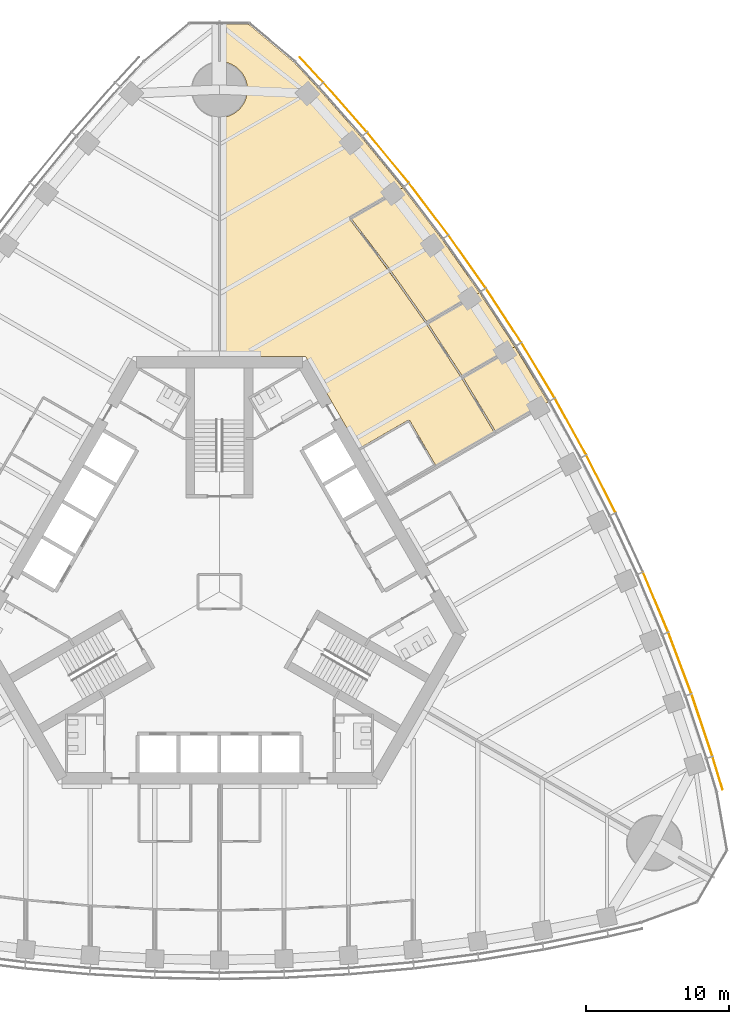
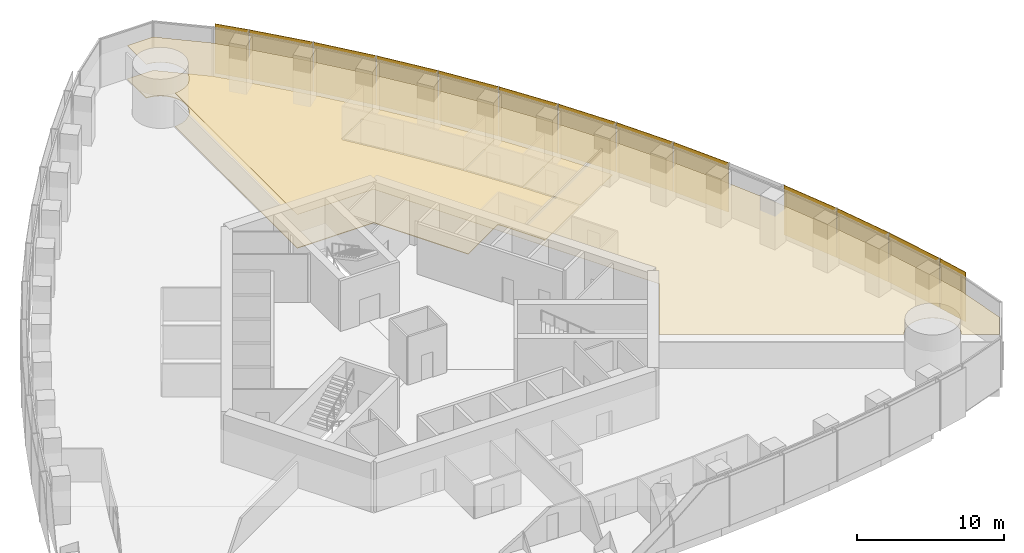
# One storey, part 17 of 19: 13 shading devices, 5 coverings.
"""IFC4 building model written with IfcOpenShell, lengths in metres."""

from ifc_helpers import new_model, si_unit, direction, frame, origin, origin_2d, place, context, subcontext, project, spatial, polyline, rectangle, outline, extrude, material, layer, layer_set, type_object, element, save


model = new_model("IFC4")

# Units and contexts
model_context = context("Model", 3, precision=1e-05, world=origin(), true_north=direction((0.0, 1.0)))
body_context = subcontext(model_context, "Body", "Model", "MODEL_VIEW")
ifc_project = project(units=[si_unit("LENGTHUNIT", "METRE"), si_unit("AREAUNIT", "SQUARE_METRE"), si_unit("VOLUMEUNIT", "CUBIC_METRE"), si_unit("PLANEANGLEUNIT", "RADIAN"), si_unit("MASSUNIT", "GRAM", prefix="KILO")], contexts=[model_context])

# Site, building, storey
site_placement = place(None, origin())
site = spatial("IfcSite", under=ifc_project, at=site_placement, CompositionType="ELEMENT")
building_placement = place(site_placement, origin())
building = spatial("IfcBuilding", under=site, at=building_placement, Name="Trefoil Bronze Tower", CompositionType="ELEMENT")
storey_placement = place(building_placement, frame((0.0, 0.0, 140.89990234375)))
storey = spatial("IfcBuildingStorey", under=building, at=storey_placement, Name="L32", CompositionType="ELEMENT", Elevation=140.89990234375)

# Shading devices
ifc_material_1 = material(Name="Perforated bronze sheet", Category="bronze")
ifc_layer_1 = layer(ifc_material_1, 0.0400390625)
ifc_layer_set_1 = layer_set([ifc_layer_1], Name="Bronze solar screen panel")
shading_device_type = type_object("IfcShadingDeviceType", Name="Bronze solar screen panel", PredefinedType="SHUTTER", material=ifc_layer_set_1)
shading_device_1_placement = place(storey_placement, frame((34.717529296875, -12.634765625, 0.050048828125), z_axis=(0.0, 0.0, 1.0), x_axis=(-0.291668676391, 0.956519410787, 0.0)))
element("IfcShadingDevice", 1, at=shading_device_1_placement, inside=storey, type_object=shading_device_type, Name="Solar screen CW-A L32 F2 bay 1", PredefinedType="SHUTTER", context=body_context, shape_type="SweptSolid", body=[
    extrude(rectangle(XDim=2.39013671875, YDim=0.0400390625, at=origin_2d()), origin(), (0.0, 0.0, 1.0), 4.10009765625),
])
shading_device_2_placement = place(storey_placement, frame((33.62890625, -9.286865234375, 0.050048828125), z_axis=(0.0, 0.0, 1.0), x_axis=(-0.318403749569, 0.947955195281, 0.0)))
element("IfcShadingDevice", 2, at=shading_device_2_placement, inside=storey, type_object=shading_device_type, Name="Solar screen CW-A L32 F2 bay 2", PredefinedType="SHUTTER", context=body_context, shape_type="SweptSolid", body=[
    extrude(rectangle(XDim=4.56103515625, YDim=0.0400390625, at=origin_2d()), origin(), (0.0, 0.0, 1.0), 4.10009765625),
])
shading_device_3_placement = place(storey_placement, frame((32.086669921875, -4.95849609375, 0.050048828125), z_axis=(0.0, 0.0, 1.0), x_axis=(-0.352919739707, 0.935653599002, 0.0)))
element("IfcShadingDevice", 3, at=shading_device_3_placement, inside=storey, type_object=shading_device_type, Name="Solar screen CW-A L32 F2 bay 3", PredefinedType="SHUTTER", context=body_context, shape_type="SweptSolid", body=[
    extrude(rectangle(XDim=4.5302734375, YDim=0.0400390625, at=origin_2d()), origin(), (0.0, 0.0, 1.0), 4.10009765625),
])
shading_device_4_placement = place(storey_placement, frame((30.3974609375, -0.715087890625, 0.050048828125), z_axis=(0.0, 0.0, 1.0), x_axis=(-0.386759234303, 0.922180727776, 0.0)))
element("IfcShadingDevice", 4, at=shading_device_4_placement, inside=storey, type_object=shading_device_type, Name="Solar screen CW-A L32 F2 bay 4", PredefinedType="SHUTTER", context=body_context, shape_type="SweptSolid", body=[
    extrude(rectangle(XDim=4.50634765625, YDim=0.0400390625, at=origin_2d()), origin(), (0.0, 0.0, 1.0), 4.10009765625),
])
shading_device_5_placement = place(storey_placement, frame((26.5869140625, 7.52197265625, 0.050048828125), z_axis=(0.0, 0.0, 1.0), x_axis=(-0.452448919686, 0.891790320128, 0.0)))
element("IfcShadingDevice", 5, at=shading_device_5_placement, inside=storey, type_object=shading_device_type, Name="Solar screen CW-A L32 F2 bay 6", PredefinedType="SHUTTER", context=body_context, shape_type="SweptSolid", body=[
    extrude(rectangle(XDim=4.4765625, YDim=0.0400390625, at=origin_2d()), origin(), (0.0, 0.0, 1.0), 4.10009765625),
])
for number, where, z_axis, x_axis, name in (
    (6, (24.468505859375, 11.517578125, 0.050048828125), (0.0, 0.0, 1.0), (-0.484312195836, 0.874895249138, 0.0), "Solar screen CW-A L32 F2 bay 7"),
    (7, (22.208740234375, 15.431396484375, 0.050048828125), (0.0, 0.0, 1.0), (-0.515525413486, 0.856874289526, 0.0), "Solar screen CW-A L32 F2 bay 8"),
):
    element("IfcShadingDevice", number, at=place(storey_placement, frame(where, z_axis=z_axis, x_axis=x_axis)), inside=storey, type_object=shading_device_type, Name=name, PredefinedType="SHUTTER", context=body_context, shape_type="SweptSolid", body=[
        extrude(rectangle(XDim=4.470703125, YDim=0.0400390625, at=origin_2d()), origin(), (0.0, 0.0, 1.0), 4.10009765625),
    ])
shading_device_6_placement = place(storey_placement, frame((19.8076171875, 19.263916015625, 0.050048828125), z_axis=(0.0, 0.0, 1.0), x_axis=(-0.546088612237, 0.837727418427, 0.0)))
element("IfcShadingDevice", 8, at=shading_device_6_placement, inside=storey, type_object=shading_device_type, Name="Solar screen CW-A L32 F2 bay 9", PredefinedType="SHUTTER", context=body_context, shape_type="SweptSolid", body=[
    extrude(rectangle(XDim=4.4765625, YDim=0.0400390625, at=origin_2d()), origin(), (0.0, 0.0, 1.0), 4.10009765625),
])
shading_device_7_placement = place(storey_placement, frame((17.264892578125, 23.014404296875, 0.050048828125), z_axis=(0.0, 0.0, 1.0), x_axis=(-0.575999283275, 0.817450197667, 0.0)))
element("IfcShadingDevice", 9, at=shading_device_7_placement, inside=storey, type_object=shading_device_type, Name="Solar screen CW-A L32 F2 bay 10", PredefinedType="SHUTTER", context=body_context, shape_type="SweptSolid", body=[
    extrude(rectangle(XDim=4.48828125, YDim=0.0400390625, at=origin_2d()), origin(), (0.0, 0.0, 1.0), 4.10009765625),
])
shading_device_8_placement = place(storey_placement, frame((14.579345703125, 26.6826171875, 0.050048828125), z_axis=(0.0, 0.0, 1.0), x_axis=(-0.605252319983, 0.796033685943, 0.0)))
element("IfcShadingDevice", 10, at=shading_device_8_placement, inside=storey, type_object=shading_device_type, Name="Solar screen CW-A L32 F2 bay 11", PredefinedType="SHUTTER", context=body_context, shape_type="SweptSolid", body=[
    extrude(rectangle(XDim=4.50634765625, YDim=0.0400390625, at=origin_2d()), origin(), (0.0, 0.0, 1.0), 4.10009765625),
])
shading_device_9_placement = place(storey_placement, frame((11.7490234375, 30.26708984375, 0.050048828125), z_axis=(0.0, 0.0, 1.0), x_axis=(-0.633839916024, 0.773464259584, 0.0)))
element("IfcShadingDevice", 11, at=shading_device_9_placement, inside=storey, type_object=shading_device_type, Name="Solar screen CW-A L32 F2 bay 12", PredefinedType="SHUTTER", context=body_context, shape_type="SweptSolid", body=[
    extrude(rectangle(XDim=4.5302734375, YDim=0.0400390625, at=origin_2d()), origin(), (0.0, 0.0, 1.0), 4.10009765625),
])
shading_device_10_placement = place(storey_placement, frame((8.77197265625, 33.766845703125, 0.050048828125), z_axis=(0.0, 0.0, 1.0), x_axis=(-0.661751405978, 0.749723333428, 0.0)))
element("IfcShadingDevice", 12, at=shading_device_10_placement, inside=storey, type_object=shading_device_type, Name="Solar screen CW-A L32 F2 bay 13", PredefinedType="SHUTTER", context=body_context, shape_type="SweptSolid", body=[
    extrude(rectangle(XDim=4.56103515625, YDim=0.0400390625, at=origin_2d()), origin(), (0.0, 0.0, 1.0), 4.10009765625),
])
shading_device_11_placement = place(storey_placement, frame((6.416748046875, 36.383544921875, 0.050048828125), z_axis=(0.0, 0.0, 1.0), x_axis=(-0.682535770759, 0.730852188636, 0.0)))
element("IfcShadingDevice", 13, at=shading_device_11_placement, inside=storey, type_object=shading_device_type, Name="Solar screen CW-A L32 F2 bay 14", PredefinedType="SHUTTER", context=body_context, shape_type="SweptSolid", body=[
    extrude(rectangle(XDim=2.39013671875, YDim=0.0400390625, at=origin_2d()), origin(), (0.0, 0.0, 1.0), 4.10009765625),
])

# Coverings
ifc_material_2 = material(Name="Acoustic ceiling panels", Category="mineral fibre")
ifc_layer_2 = layer(ifc_material_2, 0.02001953125)
ifc_layer_set_2 = layer_set([ifc_layer_2], Name="Office ceiling 20")
covering_type_1 = type_object("IfcCoveringType", Name="Office ceiling 20", PredefinedType="CEILING", material=ifc_layer_set_2)
covering_1_placement = place(storey_placement, frame((0.0, 0.0, 2.900146484375)))
element("IfcCovering", 14, at=covering_1_placement, inside=storey, type_object=covering_type_1, Name="Ceiling L32 Open-plan office F2", PredefinedType="CEILING", context=body_context, shape_type="SweptSolid", body=[
    extrude(outline(polyline([(6.847900390625, 35.130615234375), (9.885986328125, 31.6884765625), (12.776611328125, 28.1611328125), (15.522216796875, 24.55029296875), (18.124755859375, 20.856689453125), (20.585693359375, 17.081298828125), (22.906005859375, 13.224853515625), (25.085693359375, 9.287109375), (27.124755859375, 5.268310546875), (29.022216796875, 1.16748046875), (30.776611328125, -3.015625), (32.385986328125, -7.28271484375), (33.847900390625, -11.634765625), (34.5537109375, -13.94970703125), (35.2666015625, -17.99169921875), (34.247802734375, -19.755859375), (32.006103515625, -18.462646484375), (32.030517578125, -18.419189453125), (32.07373046875, -18.333740234375), (32.112548828125, -18.24609375), (32.14697265625, -18.156982421875), (32.177001953125, -18.066162109375), (32.202392578125, -17.973876953125), (32.223388671875, -17.88037109375), (32.23974609375, -17.7861328125), (32.25146484375, -17.691162109375), (32.258544921875, -17.595703125), (32.260986328125, -17.5), (32.258544921875, -17.404296875), (32.25146484375, -17.308837890625), (32.23974609375, -17.2138671875), (32.223388671875, -17.11962890625), (32.202392578125, -17.026123046875), (32.177001953125, -16.933837890625), (32.14697265625, -16.843017578125), (32.112548828125, -16.75390625), (32.07373046875, -16.666259765625), (32.030517578125, -16.580810546875), (31.9833984375, -16.49755859375), (31.932373046875, -16.41650390625), (31.877197265625, -16.33837890625), (31.818359375, -16.262939453125), (31.755615234375, -16.1904296875), (31.689697265625, -16.12109375), (31.620361328125, -16.05517578125), (31.548095703125, -15.99267578125), (31.472412109375, -15.93359375), (31.394287109375, -15.878662109375), (31.3134765625, -15.827392578125), (31.22998046875, -15.7802734375), (31.14453125, -15.7373046875), (31.05712890625, -15.698486328125), (30.9677734375, -15.6640625), (30.876953125, -15.634033203125), (30.78466796875, -15.6083984375), (30.69140625, -15.58740234375), (30.596923828125, -15.571044921875), (30.501953125, -15.559326171875), (30.406494140625, -15.55224609375), (30.310791015625, -15.550048828125), (30.215087890625, -15.55224609375), (30.119873046875, -15.559326171875), (30.02490234375, -15.571044921875), (29.930419921875, -15.58740234375), (29.837158203125, -15.6083984375), (29.744873046875, -15.634033203125), (29.654052734375, -15.6640625), (29.564697265625, -15.698486328125), (29.477294921875, -15.7373046875), (29.3916015625, -15.7802734375), (29.308349609375, -15.827392578125), (29.2275390625, -15.878662109375), (29.1494140625, -15.93359375), (29.07373046875, -15.99267578125), (29.001220703125, -16.05517578125), (28.931884765625, -16.12109375), (28.865966796875, -16.1904296875), (28.803466796875, -16.262939453125), (28.74462890625, -16.33837890625), (28.689453125, -16.41650390625), (28.628662109375, -16.514404296875), (14.205810546875, -8.194580078125), (17.205078125, -3.0), (6.00439453125, 16.39990234375), (0.006103515625, 16.39990234375), (0.012451171875, 33.05029296875), (0.095703125, 33.05224609375), (0.191162109375, 33.059326171875), (0.2861328125, 33.071044921875), (0.38037109375, 33.08740234375), (0.473876953125, 33.1083984375), (0.566162109375, 33.134033203125), (0.656982421875, 33.1640625), (0.74609375, 33.198486328125), (0.833740234375, 33.2373046875), (0.919189453125, 33.2802734375), (1.00244140625, 33.327392578125), (1.08349609375, 33.378662109375), (1.16162109375, 33.43359375), (1.237060546875, 33.49267578125), (1.3095703125, 33.55517578125), (1.37890625, 33.62109375), (1.44482421875, 33.6904296875), (1.50732421875, 33.762939453125), (1.56640625, 33.83837890625), (1.621337890625, 33.91650390625), (1.672607421875, 33.99755859375), (1.7197265625, 34.080810546875), (1.7626953125, 34.166259765625), (1.801513671875, 34.25390625), (1.8359375, 34.343017578125), (1.865966796875, 34.433837890625), (1.8916015625, 34.526123046875), (1.91259765625, 34.61962890625), (1.928955078125, 34.7138671875), (1.940673828125, 34.808837890625), (1.94775390625, 34.904296875), (1.949951171875, 35.0), (1.94775390625, 35.095703125), (1.940673828125, 35.191162109375), (1.928955078125, 35.2861328125), (1.91259765625, 35.38037109375), (1.8916015625, 35.473876953125), (1.865966796875, 35.566162109375), (1.8359375, 35.656982421875), (1.801513671875, 35.74609375), (1.7626953125, 35.833740234375), (1.7197265625, 35.919189453125), (1.672607421875, 36.00244140625), (1.621337890625, 36.08349609375), (1.56640625, 36.16162109375), (1.50732421875, 36.237060546875), (1.44482421875, 36.3095703125), (1.37890625, 36.37890625), (1.3095703125, 36.44482421875), (1.237060546875, 36.50732421875), (1.16162109375, 36.56640625), (1.08349609375, 36.621337890625), (1.00244140625, 36.672607421875), (0.919189453125, 36.7197265625), (0.833740234375, 36.7626953125), (0.74609375, 36.801513671875), (0.656982421875, 36.8359375), (0.566162109375, 36.865966796875), (0.473876953125, 36.8916015625), (0.38037109375, 36.91259765625), (0.2861328125, 36.928955078125), (0.191162109375, 36.940673828125), (0.095703125, 36.94775390625), (0.013916015625, 36.94970703125), (0.014892578125, 39.53759765625), (2.052001953125, 39.53759765625), (5.1962890625, 36.8994140625), (6.847900390625, 35.130615234375)])), origin(), (0.0, 0.0, 1.0), 0.02001953125),
])
ifc_material_3 = material(Name="Raised access floor panels", Category="steel")
ifc_layer_3 = layer(ifc_material_3, 0.050048828125)
ifc_layer_set_3 = layer_set([ifc_layer_3], Name="Raised access floor 150")
covering_type_2 = type_object("IfcCoveringType", Name="Raised access floor 150", PredefinedType="FLOORING", material=ifc_layer_set_3)
covering_2_placement = place(storey_placement, frame((0.0, 0.0, 0.10009765625)))
element("IfcCovering", 15, at=covering_2_placement, inside=storey, type_object=covering_type_2, Name="Raised floor L32 Kitchen and breakout F2", PredefinedType="FLOORING", context=body_context, shape_type="SweptSolid", body=[
    extrude(outline(polyline([(18.124755859375, 20.856689453125), (16.861572265625, 20.127197265625), (16.83154296875, 20.17919921875), (14.461669921875, 18.81103515625), (11.890625, 22.459716796875), (11.841796875, 22.42529296875), (11.889404296875, 22.461669921875), (9.18505859375, 26.018310546875), (11.533447265625, 27.3740234375), (11.50341796875, 27.426025390625), (12.776611328125, 28.1611328125), (15.522216796875, 24.55029296875), (18.124755859375, 20.856689453125)])), origin(), (0.0, 0.0, 1.0), 0.050048828125),
])
covering_3_placement = place(storey_placement, frame((0.0, 0.0, 0.10009765625)))
element("IfcCovering", 16, at=covering_3_placement, inside=storey, type_object=covering_type_2, Name="Raised floor L32 Meeting room F2", PredefinedType="FLOORING", context=body_context, shape_type="SweptSolid", body=[
    extrude(outline(polyline([(20.585693359375, 17.081298828125), (19.324951171875, 16.353515625), (19.294921875, 16.405517578125), (16.924560546875, 15.036865234375), (14.529052734375, 18.71142578125), (16.8916015625, 20.0751953125), (16.861572265625, 20.127197265625), (18.124755859375, 20.856689453125), (20.585693359375, 17.081298828125)])), origin(), (0.0, 0.0, 1.0), 0.050048828125),
])
covering_4_placement = place(storey_placement, frame((0.0, 0.0, 0.10009765625)))
element("IfcCovering", 17, at=covering_4_placement, inside=storey, type_object=covering_type_2, Name="Raised floor L32 Meeting room F2", PredefinedType="FLOORING", context=body_context, shape_type="SweptSolid", body=[
    extrude(outline(polyline([(20.585693359375, 17.081298828125), (22.906005859375, 13.224853515625), (21.64599609375, 12.497314453125), (21.6083984375, 12.562255859375), (19.23876953125, 11.194091796875), (16.988037109375, 14.93505859375), (19.35498046875, 16.301513671875), (19.324951171875, 16.353515625), (20.585693359375, 17.081298828125)])), origin(), (0.0, 0.0, 1.0), 0.050048828125),
])
covering_5_placement = place(storey_placement, frame((0.0, 0.0, 0.10009765625)))
element("IfcCovering", 18, at=covering_5_placement, inside=storey, type_object=covering_type_2, Name="Raised floor L32 Open-plan office F2", PredefinedType="FLOORING", context=body_context, shape_type="SweptSolid", body=[
    extrude(outline(polyline([(2.052001953125, 39.53759765625), (5.1962890625, 36.8994140625), (6.847900390625, 35.130615234375), (9.885986328125, 31.6884765625), (12.776611328125, 28.1611328125), (11.50341796875, 27.426025390625), (11.473388671875, 27.47802734375), (9.066162109375, 26.088134765625), (9.09619140625, 26.0361328125), (9.04833984375, 26.0), (11.055419921875, 23.3603515625), (12.492919921875, 21.39697265625), (14.39453125, 18.697998046875), (16.8544921875, 14.924560546875), (19.134765625, 11.134033203125), (15.03125, 8.764892578125), (15.00634765625, 8.808349609375), (15.058349609375, 8.83837890625), (13.25830078125, 11.955810546875), (13.206298828125, 11.92578125), (13.17626953125, 11.977783203125), (9.712158203125, 9.977783203125), (6.00439453125, 16.39990234375), (0.006103515625, 16.39990234375), (0.012451171875, 33.05029296875), (0.095703125, 33.05224609375), (0.191162109375, 33.059326171875), (0.2861328125, 33.071044921875), (0.38037109375, 33.08740234375), (0.473876953125, 33.1083984375), (0.566162109375, 33.134033203125), (0.656982421875, 33.1640625), (0.74609375, 33.198486328125), (0.833740234375, 33.2373046875), (0.919189453125, 33.2802734375), (1.00244140625, 33.327392578125), (1.08349609375, 33.378662109375), (1.16162109375, 33.43359375), (1.237060546875, 33.49267578125), (1.3095703125, 33.55517578125), (1.37890625, 33.62109375), (1.44482421875, 33.6904296875), (1.50732421875, 33.762939453125), (1.56640625, 33.83837890625), (1.621337890625, 33.91650390625), (1.672607421875, 33.99755859375), (1.7197265625, 34.080810546875), (1.7626953125, 34.166259765625), (1.801513671875, 34.25390625), (1.8359375, 34.343017578125), (1.865966796875, 34.433837890625), (1.8916015625, 34.526123046875), (1.91259765625, 34.61962890625), (1.928955078125, 34.7138671875), (1.940673828125, 34.808837890625), (1.94775390625, 34.904296875), (1.949951171875, 35.0), (1.94775390625, 35.095703125), (1.940673828125, 35.191162109375), (1.928955078125, 35.2861328125), (1.91259765625, 35.38037109375), (1.8916015625, 35.473876953125), (1.865966796875, 35.566162109375), (1.8359375, 35.656982421875), (1.801513671875, 35.74609375), (1.7626953125, 35.833740234375), (1.7197265625, 35.919189453125), (1.672607421875, 36.00244140625), (1.621337890625, 36.08349609375), (1.56640625, 36.16162109375), (1.50732421875, 36.237060546875), (1.44482421875, 36.3095703125), (1.37890625, 36.37890625), (1.3095703125, 36.44482421875), (1.237060546875, 36.50732421875), (1.16162109375, 36.56640625), (1.08349609375, 36.621337890625), (1.00244140625, 36.672607421875), (0.919189453125, 36.7197265625), (0.833740234375, 36.7626953125), (0.74609375, 36.801513671875), (0.656982421875, 36.8359375), (0.566162109375, 36.865966796875), (0.473876953125, 36.8916015625), (0.38037109375, 36.91259765625), (0.2861328125, 36.928955078125), (0.191162109375, 36.940673828125), (0.095703125, 36.94775390625), (0.013916015625, 36.94970703125), (0.014892578125, 39.53759765625), (2.052001953125, 39.53759765625)])), origin(), (0.0, 0.0, 1.0), 0.050048828125),
])

save(model, "model.ifc")
